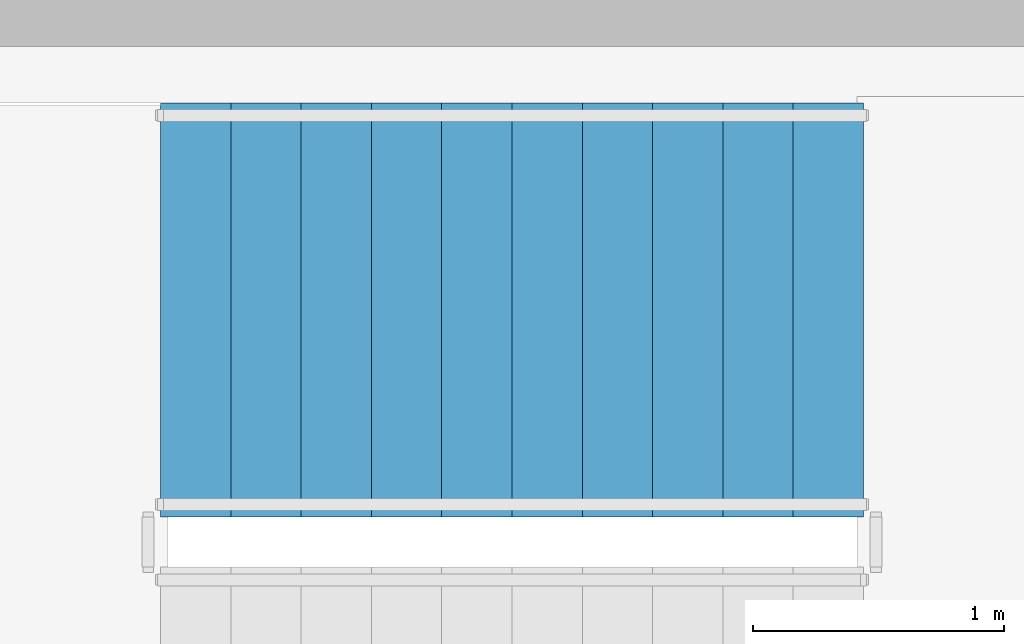
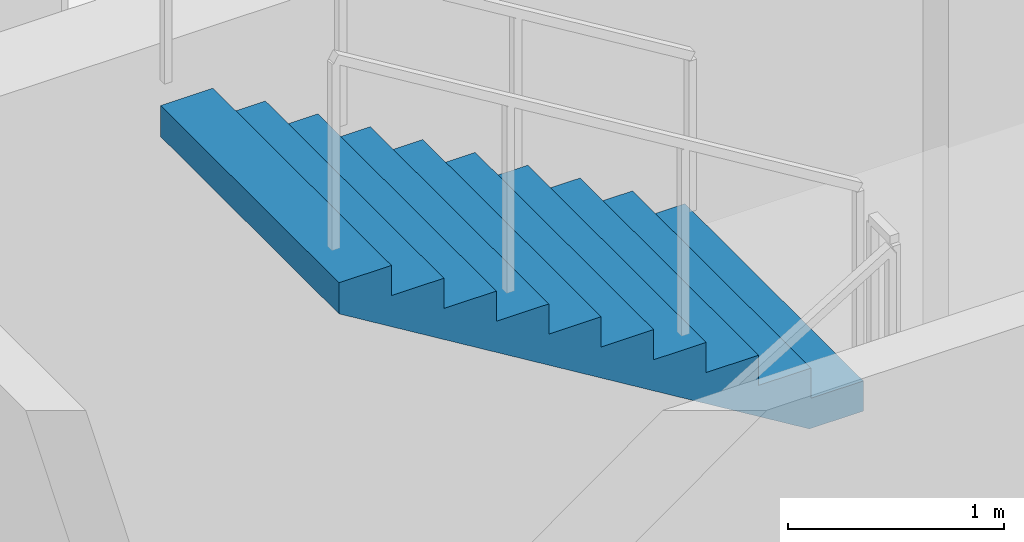
# One storey, part 23 of 28: 1 stair flight, 1 element without a shape of its own.
"""IFC4 building model written with IfcOpenShell, lengths in metres."""

from ifc_helpers import new_model, si_unit, direction, frame, origin, place, context, subcontext, project, spatial, polyline, outline, extrude, material, type_object, element, aggregate, save


model = new_model("IFC4")

# Units and contexts
model_context = context("Model", 3, precision=1e-05, world=origin(), true_north=direction((0.0, 1.0)))
body_context = subcontext(model_context, "Body", "Model", "MODEL_VIEW")
ifc_project = project(units=[si_unit("LENGTHUNIT", "METRE"), si_unit("AREAUNIT", "SQUARE_METRE"), si_unit("VOLUMEUNIT", "CUBIC_METRE"), si_unit("PLANEANGLEUNIT", "RADIAN"), si_unit("MASSUNIT", "GRAM", prefix="KILO")], contexts=[model_context])

# Site, building, storey
site_placement = place(None, origin())
site = spatial("IfcSite", under=ifc_project, at=site_placement, CompositionType="ELEMENT")
building_placement = place(site_placement, origin())
building = spatial("IfcBuilding", under=site, at=building_placement, Name="Haldenkirk Collegiate Tower", CompositionType="ELEMENT")
storey_placement = place(building_placement, frame((0.0, 0.0, 286.199951171875)))
storey = spatial("IfcBuildingStorey", under=building, at=storey_placement, Name="L72", CompositionType="ELEMENT", Elevation=286.199951171875)

# Stair, stair flight
ifc_material = material(Name="Concrete f'c 40 MPa", Category="concrete")
stair_type = type_object("IfcStairType", Name="STR-DOGLEG-1650", PredefinedType="HALF_TURN_STAIR", material=ifc_material)
stair_placement = place(storey_placement, origin())
stair = element("IfcStair", 1, at=stair_placement, inside=storey, type_object=stair_type, Name="L72 Core Exit Stair ST-3", PredefinedType="HALF_TURN_STAIR")
stair_flight_type = type_object("IfcStairFlightType", Name="STF-FLIGHT-1650", PredefinedType="STRAIGHT", material=ifc_material)
stair_flight_placement = place(storey_placement, frame((36.449951171875, 32.72509765625, 1.875), z_axis=(0.0, 0.0, 1.0), x_axis=(-1.0, 0.0, 0.0)))
stair_flight = element("IfcStairFlight", 2, at=stair_flight_placement, type_object=stair_flight_type, Name="ST-3 flight 2", NumberOfRisers=11, NumberOfTreads=10, PredefinedType="STRAIGHT", RiserHeight=0.170454545, TreadLength=0.28, context=body_context, shape_type="SweptSolid", body=[
    extrude(outline(polyline([(0.0, 0.0), (0.0, 0.17041015625), (0.280029296875, 0.17041015625), (0.280029296875, 0.3408203125), (0.56005859375, 0.3408203125), (0.56005859375, 0.511474609375), (0.840087890625, 0.511474609375), (0.840087890625, 0.681884765625), (1.1201171875, 0.681884765625), (1.1201171875, 0.852294921875), (1.39990234375, 0.852294921875), (1.39990234375, 1.022705078125), (1.679931640625, 1.022705078125), (1.679931640625, 1.193115234375), (1.9599609375, 1.193115234375), (1.9599609375, 1.363525390625), (2.239990234375, 1.363525390625), (2.239990234375, 1.5341796875), (2.52001953125, 1.5341796875), (2.52001953125, 1.70458984375), (2.800048828125, 1.70458984375), (2.800048828125, 1.875), (2.800048828125, 1.529052734375), (0.288330078125, 0.0), (0.0, 0.0)])), frame((0.0, 0.824951171875, 0.0), z_axis=(0.0, -1.0, 0.0), x_axis=(1.0, 0.0, 0.0)), (0.0, 0.0, 1.0), 1.64990234375),
])
aggregate(stair, [stair_flight])

save(model, "model.ifc")
